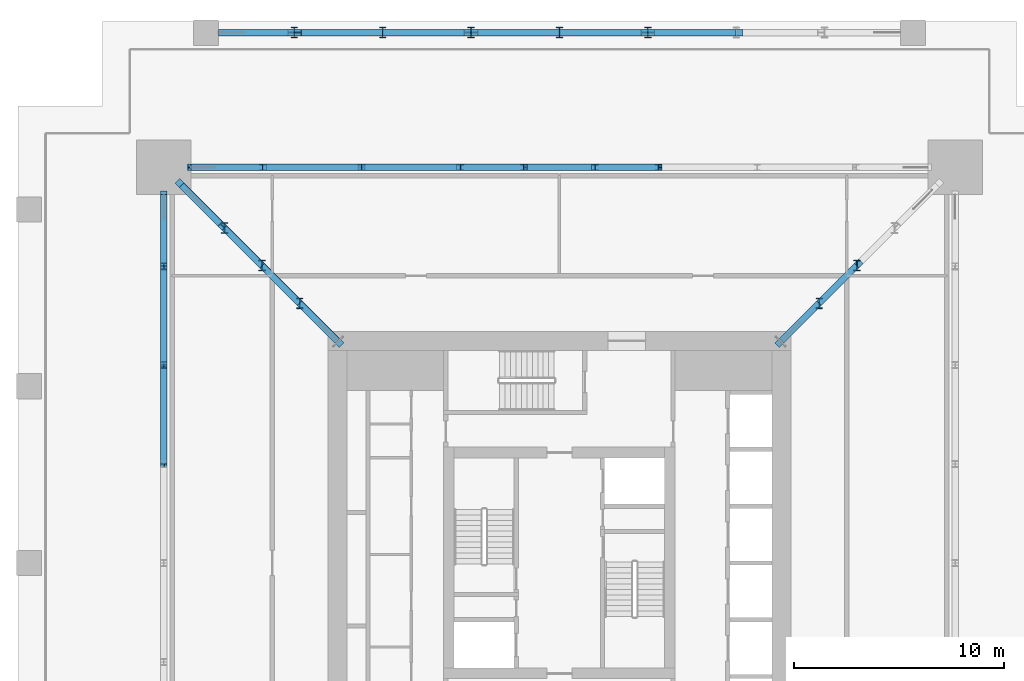
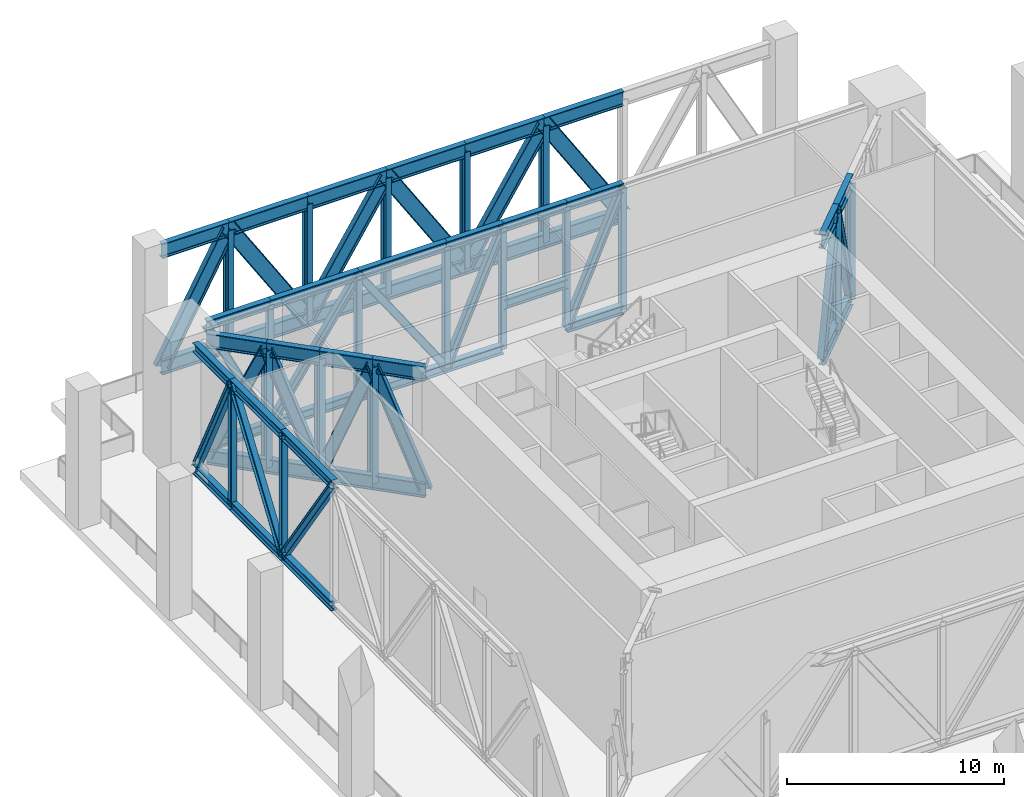
# One storey, part 4 of 17: 80 members.
"""IFC4 building model written with IfcOpenShell, lengths in metres."""

from ifc_helpers import new_model, si_unit, direction, frame, origin, origin_2d, place, context, subcontext, project, spatial, i_section, extrude, material, material_profile, profile_set, type_object, element, save


model = new_model("IFC4")

# Units and contexts
model_context = context("Model", 3, precision=1e-05, world=origin(), true_north=direction((0.0, 1.0)))
body_context = subcontext(model_context, "Body", "Model", "MODEL_VIEW")
ifc_project = project(units=[si_unit("LENGTHUNIT", "METRE"), si_unit("AREAUNIT", "SQUARE_METRE"), si_unit("VOLUMEUNIT", "CUBIC_METRE"), si_unit("PLANEANGLEUNIT", "RADIAN"), si_unit("MASSUNIT", "GRAM", prefix="KILO")], contexts=[model_context])

# Site, building, storey
site_placement = place(None, origin())
site = spatial("IfcSite", under=ifc_project, at=site_placement, CompositionType="ELEMENT")
building_placement = place(site_placement, origin())
building = spatial("IfcBuilding", under=site, at=building_placement, Name="Khepri Terraces", CompositionType="ELEMENT")
storey_placement = place(building_placement, frame((0.0, 0.0, 180.60009765625)))
storey = spatial("IfcBuildingStorey", under=building, at=storey_placement, Name="L43", CompositionType="ELEMENT", Elevation=180.60009765625)

# Members
ifc_material = material(Name="Steel S355", Category="steel")
ifc_material_profile_1 = material_profile(ifc_material, i_section(OverallWidth=0.305908203125, OverallDepth=0.52392578125, WebThickness=0.02099609375, FlangeThickness=0.0400390625, FilletRadius=0.027099609375, at=origin_2d()), Name="Steel S355", Category="steel")
ifc_profile_set_1 = profile_set([ifc_material_profile_1], Name="Steel S355")
member_type_1 = type_object("IfcMemberType", Name="Belt truss chord HEM 500", PredefinedType="CHORD", material=ifc_profile_set_1)
for number, where, z_axis, x_axis, name in (
    (1, (4.699951171875, 18.800048828125, 0.261962890625), (-1.0, 0.0, 0.0), (0.0, -1.0, 0.0), "Belt truss chord BT-43-N bottom 4"),
    (2, (4.699951171875, 18.800048828125, 7.117919921875), (-1.0, 0.0, 0.0), (0.0, -1.0, 0.0), "Belt truss chord BT-43-N top 4"),
):
    element("IfcMember", number, at=place(storey_placement, frame(where, z_axis=z_axis, x_axis=x_axis)), inside=storey, type_object=member_type_1, Name=name, PredefinedType="CHORD", context=body_context, shape_type="SweptSolid", body=[
        extrude(i_section(OverallWidth=0.305908203125, OverallDepth=0.52392578125, WebThickness=0.02099609375, FlangeThickness=0.0400390625, FilletRadius=0.027099609375, at=origin_2d()), origin(), (0.0, 0.0, 1.0), 3.0),
    ])
for number, where, z_axis, x_axis, name in (
    (3, (1.699951171875, 18.800048828125, 2.761962890625), (-1.0, 0.0, 0.0), (0.0, -1.0, 0.0), "Belt truss chord BT-43-N bottom 5"),
    (4, (1.699951171875, 18.800048828125, 7.117919921875), (-1.0, 0.0, 0.0), (0.0, -1.0, 0.0), "Belt truss chord BT-43-N top 5"),
):
    element("IfcMember", number, at=place(storey_placement, frame(where, z_axis=z_axis, x_axis=x_axis)), inside=storey, type_object=member_type_1, Name=name, PredefinedType="CHORD", context=body_context, shape_type="SweptSolid", body=[
        extrude(i_section(OverallWidth=0.305908203125, OverallDepth=0.52392578125, WebThickness=0.02099609375, FlangeThickness=0.0400390625, FilletRadius=0.027099609375, at=origin_2d()), origin(), (0.0, 0.0, 1.0), 3.39990234375),
    ])
for number, where, z_axis, x_axis, name in (
    (5, (-1.699951171875, 18.800048828125, 0.261962890625), (-1.0, 0.0, 0.0), (0.0, -1.0, 0.0), "Belt truss chord BT-43-N bottom 6"),
    (6, (-1.699951171875, 18.800048828125, 7.117919921875), (-1.0, 0.0, 0.0), (0.0, -1.0, 0.0), "Belt truss chord BT-43-N top 6"),
):
    element("IfcMember", number, at=place(storey_placement, frame(where, z_axis=z_axis, x_axis=x_axis)), inside=storey, type_object=member_type_1, Name=name, PredefinedType="CHORD", context=body_context, shape_type="SweptSolid", body=[
        extrude(i_section(OverallWidth=0.305908203125, OverallDepth=0.52392578125, WebThickness=0.02099609375, FlangeThickness=0.0400390625, FilletRadius=0.027099609375, at=origin_2d()), origin(), (0.0, 0.0, 1.0), 3.0),
    ])
for number, where, z_axis, x_axis, name in (
    (7, (-4.699951171875, 18.800048828125, 0.261962890625), (-1.0, 0.0, 0.0), (0.0, -1.0, 0.0), "Belt truss chord BT-43-N bottom 7"),
    (8, (-4.699951171875, 18.800048828125, 7.117919921875), (-1.0, 0.0, 0.0), (0.0, -1.0, 0.0), "Belt truss chord BT-43-N top 7"),
):
    element("IfcMember", number, at=place(storey_placement, frame(where, z_axis=z_axis, x_axis=x_axis)), inside=storey, type_object=member_type_1, Name=name, PredefinedType="CHORD", context=body_context, shape_type="SweptSolid", body=[
        extrude(i_section(OverallWidth=0.305908203125, OverallDepth=0.52392578125, WebThickness=0.02099609375, FlangeThickness=0.0400390625, FilletRadius=0.027099609375, at=origin_2d()), origin(), (0.0, 0.0, 1.0), 4.699951171875),
    ])
for number, where, z_axis, x_axis, name in (
    (9, (-9.39990234375, 18.800048828125, 0.261962890625), (-1.0, 0.0, 0.0), (0.0, -1.0, 0.0), "Belt truss chord BT-43-N bottom 8"),
    (10, (-9.39990234375, 18.800048828125, 7.117919921875), (-1.0, 0.0, 0.0), (0.0, -1.0, 0.0), "Belt truss chord BT-43-N top 8"),
):
    element("IfcMember", number, at=place(storey_placement, frame(where, z_axis=z_axis, x_axis=x_axis)), inside=storey, type_object=member_type_1, Name=name, PredefinedType="CHORD", context=body_context, shape_type="SweptSolid", body=[
        extrude(i_section(OverallWidth=0.305908203125, OverallDepth=0.52392578125, WebThickness=0.02099609375, FlangeThickness=0.0400390625, FilletRadius=0.027099609375, at=origin_2d()), origin(), (0.0, 0.0, 1.0), 4.7001953125),
    ])
for number, where, z_axis, x_axis, name in (
    (11, (-14.10009765625, 18.800048828125, 0.261962890625), (-1.0, 0.0, 0.0), (0.0, -1.0, 0.0), "Belt truss chord BT-43-N bottom 9"),
    (12, (-14.10009765625, 18.800048828125, 7.117919921875), (-1.0, 0.0, 0.0), (0.0, -1.0, 0.0), "Belt truss chord BT-43-N top 9"),
    (13, (-18.800048828125, 17.5, 0.261962890625), (0.0, -1.0, 0.0), (1.0, 0.0, 0.0), "Belt truss chord BT-43-W bottom 1"),
    (14, (-18.800048828125, 17.5, 7.117919921875), (0.0, -1.0, 0.0), (1.0, 0.0, 0.0), "Belt truss chord BT-43-W top 1"),
):
    element("IfcMember", number, at=place(storey_placement, frame(where, z_axis=z_axis, x_axis=x_axis)), inside=storey, type_object=member_type_1, Name=name, PredefinedType="CHORD", context=body_context, shape_type="SweptSolid", body=[
        extrude(i_section(OverallWidth=0.305908203125, OverallDepth=0.52392578125, WebThickness=0.02099609375, FlangeThickness=0.0400390625, FilletRadius=0.027099609375, at=origin_2d()), origin(), (0.0, 0.0, 1.0), 3.39990234375),
    ])
for number, where, z_axis, x_axis, name in (
    (15, (-18.800048828125, 14.10009765625, 0.261962890625), (0.0, -1.0, 0.0), (1.0, 0.0, 0.0), "Belt truss chord BT-43-W bottom 2"),
    (16, (-18.800048828125, 14.10009765625, 7.117919921875), (0.0, -1.0, 0.0), (1.0, 0.0, 0.0), "Belt truss chord BT-43-W top 2"),
):
    element("IfcMember", number, at=place(storey_placement, frame(where, z_axis=z_axis, x_axis=x_axis)), inside=storey, type_object=member_type_1, Name=name, PredefinedType="CHORD", context=body_context, shape_type="SweptSolid", body=[
        extrude(i_section(OverallWidth=0.305908203125, OverallDepth=0.52392578125, WebThickness=0.02099609375, FlangeThickness=0.0400390625, FilletRadius=0.027099609375, at=origin_2d()), origin(), (0.0, 0.0, 1.0), 4.7001953125),
    ])
for number, where, z_axis, x_axis, name in (
    (17, (-18.800048828125, 9.39990234375, 0.261962890625), (0.0, -1.0, 0.0), (1.0, 0.0, 0.0), "Belt truss chord BT-43-W bottom 3"),
    (18, (-18.800048828125, 9.39990234375, 7.117919921875), (0.0, -1.0, 0.0), (1.0, 0.0, 0.0), "Belt truss chord BT-43-W top 3"),
):
    element("IfcMember", number, at=place(storey_placement, frame(where, z_axis=z_axis, x_axis=x_axis)), inside=storey, type_object=member_type_1, Name=name, PredefinedType="CHORD", context=body_context, shape_type="SweptSolid", body=[
        extrude(i_section(OverallWidth=0.305908203125, OverallDepth=0.52392578125, WebThickness=0.02099609375, FlangeThickness=0.0400390625, FilletRadius=0.027099609375, at=origin_2d()), origin(), (0.0, 0.0, 1.0), 4.699951171875),
    ])
ifc_material_profile_2 = material_profile(ifc_material, i_section(OverallWidth=0.300048828125, OverallDepth=0.39990234375, WebThickness=0.013427734375, FlangeThickness=0.02392578125, FilletRadius=0.027099609375, at=origin_2d()), Name="Steel S355", Category="steel")
ifc_profile_set_2 = profile_set([ifc_material_profile_2], Name="Steel S355")
member_type_2 = type_object("IfcMemberType", Name="Belt truss diagonal HEB 400", PredefinedType="BRACE", material=ifc_profile_set_2)
for number, where, z_axis, x_axis, name in (
    (19, (4.699951171875, 18.800048828125, 7.117919921875), (-0.40087702062, 0.0, -0.916131876063), (0.0, -1.0, 0.0), "Belt truss diagonal BT-43-N 4"),
    (20, (-1.699951171875, 18.800048828125, 7.117919921875), (-0.40087702062, 0.0, -0.916131876063), (0.0, -1.0, 0.0), "Belt truss diagonal BT-43-N 6"),
):
    element("IfcMember", number, at=place(storey_placement, frame(where, z_axis=z_axis, x_axis=x_axis)), inside=storey, type_object=member_type_2, Name=name, PredefinedType="BRACE", context=body_context, shape_type="SweptSolid", body=[
        extrude(i_section(OverallWidth=0.300048828125, OverallDepth=0.39990234375, WebThickness=0.013427734375, FlangeThickness=0.02392578125, FilletRadius=0.027099609375, at=origin_2d()), origin(), (0.0, 0.0, 1.0), 7.483642578125),
    ])
member_1_placement = place(storey_placement, frame((-4.699951171875, 18.800048828125, 0.261962890625), z_axis=(-0.565423896724, 0.0, 0.824800471031), x_axis=(0.0, -1.0, 0.0)))
element("IfcMember", 21, at=member_1_placement, inside=storey, type_object=member_type_2, Name="Belt truss diagonal BT-43-N 7", PredefinedType="BRACE", context=body_context, shape_type="SweptSolid", body=[
    extrude(i_section(OverallWidth=0.300048828125, OverallDepth=0.39990234375, WebThickness=0.013427734375, FlangeThickness=0.02392578125, FilletRadius=0.027099609375, at=origin_2d()), origin(), (0.0, 0.0, 1.0), 8.312255859375),
])
member_2_placement = place(storey_placement, frame((-9.39990234375, 18.800048828125, 7.117919921875), z_axis=(-0.565443877293, 0.0, -0.824786773434), x_axis=(0.0, -1.0, 0.0)))
element("IfcMember", 22, at=member_2_placement, inside=storey, type_object=member_type_2, Name="Belt truss diagonal BT-43-N 8", PredefinedType="BRACE", context=body_context, shape_type="SweptSolid", body=[
    extrude(i_section(OverallWidth=0.300048828125, OverallDepth=0.39990234375, WebThickness=0.013427734375, FlangeThickness=0.02392578125, FilletRadius=0.027099609375, at=origin_2d()), origin(), (0.0, 0.0, 1.0), 8.3125),
])
for number, where, z_axis, x_axis, name in (
    (23, (-14.10009765625, 18.800048828125, 0.261962890625), (-0.444276144924, 0.0, 0.895889896723), (0.0, -1.0, 0.0), "Belt truss diagonal BT-43-N 9"),
    (24, (-18.800048828125, 17.5, 0.261962890625), (0.0, -0.444276144924, 0.895889896723), (1.0, 0.0, 0.0), "Belt truss diagonal BT-43-W 1"),
):
    element("IfcMember", number, at=place(storey_placement, frame(where, z_axis=z_axis, x_axis=x_axis)), inside=storey, type_object=member_type_2, Name=name, PredefinedType="BRACE", context=body_context, shape_type="SweptSolid", body=[
        extrude(i_section(OverallWidth=0.300048828125, OverallDepth=0.39990234375, WebThickness=0.013427734375, FlangeThickness=0.02392578125, FilletRadius=0.027099609375, at=origin_2d()), origin(), (0.0, 0.0, 1.0), 7.652587890625),
    ])
member_3_placement = place(storey_placement, frame((-18.800048828125, 14.10009765625, 7.117919921875), z_axis=(0.0, -0.565443877293, -0.824786773434), x_axis=(1.0, 0.0, 0.0)))
element("IfcMember", 25, at=member_3_placement, inside=storey, type_object=member_type_2, Name="Belt truss diagonal BT-43-W 2", PredefinedType="BRACE", context=body_context, shape_type="SweptSolid", body=[
    extrude(i_section(OverallWidth=0.300048828125, OverallDepth=0.39990234375, WebThickness=0.013427734375, FlangeThickness=0.02392578125, FilletRadius=0.027099609375, at=origin_2d()), origin(), (0.0, 0.0, 1.0), 8.3125),
])
member_4_placement = place(storey_placement, frame((-18.800048828125, 9.39990234375, 0.261962890625), z_axis=(0.0, -0.565423896724, 0.824800471031), x_axis=(1.0, 0.0, 0.0)))
element("IfcMember", 26, at=member_4_placement, inside=storey, type_object=member_type_2, Name="Belt truss diagonal BT-43-W 3", PredefinedType="BRACE", context=body_context, shape_type="SweptSolid", body=[
    extrude(i_section(OverallWidth=0.300048828125, OverallDepth=0.39990234375, WebThickness=0.013427734375, FlangeThickness=0.02392578125, FilletRadius=0.027099609375, at=origin_2d()), origin(), (0.0, 0.0, 1.0), 8.312255859375),
])
ifc_material_profile_3 = material_profile(ifc_material, i_section(OverallWidth=0.300048828125, OverallDepth=0.300048828125, WebThickness=0.010986328125, FlangeThickness=0.01904296875, FilletRadius=0.027099609375, at=origin_2d()), Name="Steel S355", Category="steel")
ifc_profile_set_3 = profile_set([ifc_material_profile_3], Name="Steel S355")
member_type_3 = type_object("IfcMemberType", Name="Belt truss post HEB 300", PredefinedType="POST", material=ifc_profile_set_3)
for number, where, z_axis, x_axis, name in (
    (27, (4.699951171875, 18.800048828125, 0.261962890625), (0.0, 0.0, 1.0), (1.0, 0.0, 0.0), "Belt truss post BT-43-N 3"),
    (28, (1.699951171875, 18.800048828125, 0.261962890625), (0.0, 0.0, 1.0), (1.0, 0.0, 0.0), "Belt truss post BT-43-N 4"),
    (29, (-1.699951171875, 18.800048828125, 0.261962890625), (0.0, 0.0, 1.0), (1.0, 0.0, 0.0), "Belt truss post BT-43-N 5"),
    (30, (-4.699951171875, 18.800048828125, 0.261962890625), (0.0, 0.0, 1.0), (1.0, 0.0, 0.0), "Belt truss post BT-43-N 6"),
    (31, (-9.39990234375, 18.800048828125, 0.261962890625), (0.0, 0.0, 1.0), (1.0, 0.0, 0.0), "Belt truss post BT-43-N 7"),
    (32, (-14.10009765625, 18.800048828125, 0.261962890625), (0.0, 0.0, 1.0), (1.0, 0.0, 0.0), "Belt truss post BT-43-N 8"),
    (33, (-18.800048828125, 14.10009765625, 0.261962890625), (0.0, 0.0, 1.0), (1.0, 0.0, 0.0), "Belt truss post BT-43-W 1"),
    (34, (-18.800048828125, 9.39990234375, 0.261962890625), (0.0, 0.0, 1.0), (1.0, 0.0, 0.0), "Belt truss post BT-43-W 2"),
):
    element("IfcMember", number, at=place(storey_placement, frame(where, z_axis=z_axis, x_axis=x_axis)), inside=storey, type_object=member_type_3, Name=name, PredefinedType="POST", context=body_context, shape_type="SweptSolid", body=[
        extrude(i_section(OverallWidth=0.300048828125, OverallDepth=0.300048828125, WebThickness=0.010986328125, FlangeThickness=0.01904296875, FilletRadius=0.027099609375, at=origin_2d()), origin(), (0.0, 0.0, 1.0), 6.85595703125),
    ])
ifc_material_profile_4 = material_profile(ifc_material, i_section(OverallWidth=0.302978515625, OverallDepth=0.81396484375, WebThickness=0.02099609375, FlangeThickness=0.0400390625, FilletRadius=0.030029296875, at=origin_2d()), Name="Steel S355", Category="steel")
ifc_profile_set_4 = profile_set([ifc_material_profile_4], Name="Steel S355")
member_type_4 = type_object("IfcMemberType", Name="Outrigger chord HEM 800", PredefinedType="CHORD", material=ifc_profile_set_4)
for number, where, z_axis, x_axis, name in (
    (35, (10.550048828125, 10.550048828125, 0.406982421875), (0.707106781187, 0.707106781187, 0.0), (-0.707106781187, 0.707106781187, 0.0), "Outrigger chord OT-43-EN bottom 1"),
    (36, (10.550048828125, 10.550048828125, 6.972900390625), (0.707106781187, 0.707106781187, 0.0), (-0.707106781187, 0.707106781187, 0.0), "Outrigger chord OT-43-EN top 1"),
    (37, (12.340576171875, 12.340576171875, 0.406982421875), (0.707106781187, 0.707106781187, 0.0), (-0.707106781187, 0.707106781187, 0.0), "Outrigger chord OT-43-EN bottom 2"),
    (38, (12.340576171875, 12.340576171875, 6.972900390625), (0.707106781187, 0.707106781187, 0.0), (-0.707106781187, 0.707106781187, 0.0), "Outrigger chord OT-43-EN top 2"),
    (39, (-10.550048828125, 10.550048828125, 0.406982421875), (-0.707106781187, 0.707106781187, 0.0), (-0.707106781187, -0.707106781187, 0.0), "Outrigger chord OT-43-WN bottom 1"),
    (40, (-10.550048828125, 10.550048828125, 6.972900390625), (-0.707106781187, 0.707106781187, 0.0), (-0.707106781187, -0.707106781187, 0.0), "Outrigger chord OT-43-WN top 1"),
    (41, (-12.340576171875, 12.340576171875, 0.406982421875), (-0.707106781187, 0.707106781187, 0.0), (-0.707106781187, -0.707106781187, 0.0), "Outrigger chord OT-43-WN bottom 2"),
    (42, (-12.340576171875, 12.340576171875, 6.972900390625), (-0.707106781187, 0.707106781187, 0.0), (-0.707106781187, -0.707106781187, 0.0), "Outrigger chord OT-43-WN top 2"),
    (43, (-14.131103515625, 14.131103515625, 0.406982421875), (-0.707106781187, 0.707106781187, 0.0), (-0.707106781187, -0.707106781187, 0.0), "Outrigger chord OT-43-WN bottom 3"),
    (44, (-14.131103515625, 14.131103515625, 6.972900390625), (-0.707106781187, 0.707106781187, 0.0), (-0.707106781187, -0.707106781187, 0.0), "Outrigger chord OT-43-WN top 3"),
):
    element("IfcMember", number, at=place(storey_placement, frame(where, z_axis=z_axis, x_axis=x_axis)), inside=storey, type_object=member_type_4, Name=name, PredefinedType="CHORD", context=body_context, shape_type="SweptSolid", body=[
        extrude(i_section(OverallWidth=0.302978515625, OverallDepth=0.81396484375, WebThickness=0.02099609375, FlangeThickness=0.0400390625, FilletRadius=0.030029296875, at=origin_2d()), origin(), (0.0, 0.0, 1.0), 2.5322265625),
    ])
for number, where, z_axis, x_axis, name in (
    (45, (-15.921630859375, 15.921630859375, 0.406982421875), (-0.707106781187, 0.707106781187, 0.0), (-0.707106781187, -0.707106781187, 0.0), "Outrigger chord OT-43-WN bottom 4"),
    (46, (-15.921630859375, 15.921630859375, 6.972900390625), (-0.707106781187, 0.707106781187, 0.0), (-0.707106781187, -0.707106781187, 0.0), "Outrigger chord OT-43-WN top 4"),
):
    element("IfcMember", number, at=place(storey_placement, frame(where, z_axis=z_axis, x_axis=x_axis)), inside=storey, type_object=member_type_4, Name=name, PredefinedType="CHORD", context=body_context, shape_type="SweptSolid", body=[
        extrude(i_section(OverallWidth=0.302978515625, OverallDepth=0.81396484375, WebThickness=0.02099609375, FlangeThickness=0.0400390625, FilletRadius=0.030029296875, at=origin_2d()), origin(), (0.0, 0.0, 1.0), 2.87060546875),
    ])
ifc_material_profile_5 = material_profile(ifc_material, i_section(OverallWidth=0.304931640625, OverallDepth=0.6201171875, WebThickness=0.02099609375, FlangeThickness=0.0400390625, FilletRadius=0.027099609375, at=origin_2d()), Name="Steel S355", Category="steel")
ifc_profile_set_5 = profile_set([ifc_material_profile_5], Name="Steel S355")
member_type_5 = type_object("IfcMemberType", Name="Outrigger diagonal HEM 600", PredefinedType="BRACE", material=ifc_profile_set_5)
for number, where, z_axis, x_axis, name in (
    (47, (10.550048828125, 10.550048828125, 0.406982421875), (0.254434715173, 0.254434715173, 0.933019802271), (-0.707106781187, 0.707106781187, 0.0), "Outrigger diagonal OT-43-EN 1"),
    (48, (12.340576171875, 12.340576171875, 6.972900390625), (0.254434715173, 0.254434715173, -0.933019802271), (-0.707106781187, 0.707106781187, 0.0), "Outrigger diagonal OT-43-EN 2"),
    (49, (-10.550048828125, 10.550048828125, 0.406982421875), (-0.254434715173, 0.254434715173, 0.933019802271), (-0.707106781187, -0.707106781187, 0.0), "Outrigger diagonal OT-43-WN 1"),
    (50, (-12.340576171875, 12.340576171875, 6.972900390625), (-0.254434715173, 0.254434715173, -0.933019802271), (-0.707106781187, -0.707106781187, 0.0), "Outrigger diagonal OT-43-WN 2"),
    (51, (-14.131103515625, 14.131103515625, 0.406982421875), (-0.254434715173, 0.254434715173, 0.933019802271), (-0.707106781187, -0.707106781187, 0.0), "Outrigger diagonal OT-43-WN 3"),
):
    element("IfcMember", number, at=place(storey_placement, frame(where, z_axis=z_axis, x_axis=x_axis)), inside=storey, type_object=member_type_5, Name=name, PredefinedType="BRACE", context=body_context, shape_type="SweptSolid", body=[
        extrude(i_section(OverallWidth=0.304931640625, OverallDepth=0.6201171875, WebThickness=0.02099609375, FlangeThickness=0.0400390625, FilletRadius=0.027099609375, at=origin_2d()), origin(), (0.0, 0.0, 1.0), 7.037353515625),
    ])
member_5_placement = place(storey_placement, frame((-15.921630859375, 15.921630859375, 6.972900390625), z_axis=(-0.283252796148, 0.283252796148, -0.916261811355), x_axis=(-0.707106781187, -0.707106781187, 0.0)))
element("IfcMember", 52, at=member_5_placement, inside=storey, type_object=member_type_5, Name="Outrigger diagonal OT-43-WN 4", PredefinedType="BRACE", context=body_context, shape_type="SweptSolid", body=[
    extrude(i_section(OverallWidth=0.304931640625, OverallDepth=0.6201171875, WebThickness=0.02099609375, FlangeThickness=0.0400390625, FilletRadius=0.027099609375, at=origin_2d()), origin(), (0.0, 0.0, 1.0), 7.166015625),
])
ifc_material_profile_6 = material_profile(ifc_material, i_section(OverallWidth=0.300048828125, OverallDepth=0.5, WebThickness=0.014404296875, FlangeThickness=0.028076171875, FilletRadius=0.027099609375, at=origin_2d()), Name="Steel S355", Category="steel")
ifc_profile_set_6 = profile_set([ifc_material_profile_6], Name="Steel S355")
member_type_6 = type_object("IfcMemberType", Name="Outrigger post HEB 500", PredefinedType="POST", material=ifc_profile_set_6)
for number, where, z_axis, x_axis, name in (
    (53, (12.340576171875, 12.340576171875, 0.406982421875), (0.0, 0.0, 1.0), (1.0, 0.0, 0.0), "Outrigger post OT-43-EN 1"),
    (54, (14.131103515625, 14.131103515625, 0.406982421875), (0.0, 0.0, 1.0), (1.0, 0.0, 0.0), "Outrigger post OT-43-EN 2"),
    (55, (-12.340576171875, 12.340576171875, 0.406982421875), (0.0, 0.0, 1.0), (1.0, 0.0, 0.0), "Outrigger post OT-43-WN 1"),
    (56, (-14.131103515625, 14.131103515625, 0.406982421875), (0.0, 0.0, 1.0), (1.0, 0.0, 0.0), "Outrigger post OT-43-WN 2"),
    (57, (-15.921630859375, 15.921630859375, 0.406982421875), (0.0, 0.0, 1.0), (1.0, 0.0, 0.0), "Outrigger post OT-43-WN 3"),
):
    element("IfcMember", number, at=place(storey_placement, frame(where, z_axis=z_axis, x_axis=x_axis)), inside=storey, type_object=member_type_6, Name=name, PredefinedType="POST", context=body_context, shape_type="SweptSolid", body=[
        extrude(i_section(OverallWidth=0.300048828125, OverallDepth=0.5, WebThickness=0.014404296875, FlangeThickness=0.028076171875, FilletRadius=0.027099609375, at=origin_2d()), origin(), (0.0, 0.0, 1.0), 6.56591796875),
    ])
ifc_material_profile_7 = material_profile(ifc_material, i_section(OverallWidth=0.302978515625, OverallDepth=0.81396484375, WebThickness=0.02099609375, FlangeThickness=0.0400390625, FilletRadius=0.030029296875, at=origin_2d()), Name="Steel S355", Category="steel")
ifc_profile_set_7 = profile_set([ifc_material_profile_7], Name="Steel S355")
member_type_7 = type_object("IfcMemberType", Name="Transfer truss chord HEM 800", PredefinedType="CHORD", material=ifc_profile_set_7)
for number, where, z_axis, x_axis, name in (
    (58, (8.39990234375, 25.199951171875, 0.406982421875), (-1.0, 0.0, 0.0), (0.0, -1.0, 0.0), "Transfer truss chord TT-43-N bottom 3"),
    (59, (8.39990234375, 25.199951171875, 6.972900390625), (-1.0, 0.0, 0.0), (0.0, -1.0, 0.0), "Transfer truss chord TT-43-N top 3"),
    (60, (4.199951171875, 25.199951171875, 0.406982421875), (-1.0, 0.0, 0.0), (0.0, -1.0, 0.0), "Transfer truss chord TT-43-N bottom 4"),
    (61, (4.199951171875, 25.199951171875, 6.972900390625), (-1.0, 0.0, 0.0), (0.0, -1.0, 0.0), "Transfer truss chord TT-43-N top 4"),
    (62, (0.0, 25.199951171875, 0.406982421875), (-1.0, 0.0, 0.0), (0.0, -1.0, 0.0), "Transfer truss chord TT-43-N bottom 5"),
    (63, (0.0, 25.199951171875, 6.972900390625), (-1.0, 0.0, 0.0), (0.0, -1.0, 0.0), "Transfer truss chord TT-43-N top 5"),
    (64, (-4.199951171875, 25.199951171875, 0.406982421875), (-1.0, 0.0, 0.0), (0.0, -1.0, 0.0), "Transfer truss chord TT-43-N bottom 6"),
    (65, (-4.199951171875, 25.199951171875, 6.972900390625), (-1.0, 0.0, 0.0), (0.0, -1.0, 0.0), "Transfer truss chord TT-43-N top 6"),
):
    element("IfcMember", number, at=place(storey_placement, frame(where, z_axis=z_axis, x_axis=x_axis)), inside=storey, type_object=member_type_7, Name=name, PredefinedType="CHORD", context=body_context, shape_type="SweptSolid", body=[
        extrude(i_section(OverallWidth=0.302978515625, OverallDepth=0.81396484375, WebThickness=0.02099609375, FlangeThickness=0.0400390625, FilletRadius=0.030029296875, at=origin_2d()), origin(), (0.0, 0.0, 1.0), 4.199951171875),
    ])
for number, where, z_axis, x_axis, name in (
    (66, (-8.39990234375, 25.199951171875, 0.406982421875), (-1.0, 0.0, 0.0), (0.0, -1.0, 0.0), "Transfer truss chord TT-43-N bottom 7"),
    (67, (-8.39990234375, 25.199951171875, 6.972900390625), (-1.0, 0.0, 0.0), (0.0, -1.0, 0.0), "Transfer truss chord TT-43-N top 7"),
):
    element("IfcMember", number, at=place(storey_placement, frame(where, z_axis=z_axis, x_axis=x_axis)), inside=storey, type_object=member_type_7, Name=name, PredefinedType="CHORD", context=body_context, shape_type="SweptSolid", body=[
        extrude(i_section(OverallWidth=0.302978515625, OverallDepth=0.81396484375, WebThickness=0.02099609375, FlangeThickness=0.0400390625, FilletRadius=0.030029296875, at=origin_2d()), origin(), (0.0, 0.0, 1.0), 4.2001953125),
    ])
for number, where, z_axis, x_axis, name in (
    (68, (-12.60009765625, 25.199951171875, 0.406982421875), (-1.0, 0.0, 0.0), (0.0, -1.0, 0.0), "Transfer truss chord TT-43-N bottom 8"),
    (69, (-12.60009765625, 25.199951171875, 6.972900390625), (-1.0, 0.0, 0.0), (0.0, -1.0, 0.0), "Transfer truss chord TT-43-N top 8"),
):
    element("IfcMember", number, at=place(storey_placement, frame(where, z_axis=z_axis, x_axis=x_axis)), inside=storey, type_object=member_type_7, Name=name, PredefinedType="CHORD", context=body_context, shape_type="SweptSolid", body=[
        extrude(i_section(OverallWidth=0.302978515625, OverallDepth=0.81396484375, WebThickness=0.02099609375, FlangeThickness=0.0400390625, FilletRadius=0.030029296875, at=origin_2d()), origin(), (0.0, 0.0, 1.0), 3.599853515625),
    ])
ifc_material_profile_8 = material_profile(ifc_material, i_section(OverallWidth=0.300048828125, OverallDepth=0.7900390625, WebThickness=0.014892578125, FlangeThickness=0.028076171875, FilletRadius=0.030029296875, at=origin_2d()), Name="Steel S355", Category="steel")
ifc_profile_set_8 = profile_set([ifc_material_profile_8], Name="Steel S355")
member_type_8 = type_object("IfcMemberType", Name="Transfer truss diagonal HEA 800", PredefinedType="BRACE", material=ifc_profile_set_8)
for number, where, z_axis, x_axis, name in (
    (70, (8.39990234375, 25.199951171875, 0.406982421875), (-0.5388501343, 0.0, 0.842401645752), (0.0, -1.0, 0.0), "Transfer truss diagonal TT-43-N 3"),
    (71, (4.199951171875, 25.199951171875, 6.972900390625), (-0.5388501343, 0.0, -0.842401645752), (0.0, -1.0, 0.0), "Transfer truss diagonal TT-43-N 4"),
    (72, (0.0, 25.199951171875, 0.406982421875), (-0.5388501343, 0.0, 0.842401645752), (0.0, -1.0, 0.0), "Transfer truss diagonal TT-43-N 5"),
    (73, (-4.199951171875, 25.199951171875, 6.972900390625), (-0.5388501343, 0.0, -0.842401645752), (0.0, -1.0, 0.0), "Transfer truss diagonal TT-43-N 6"),
):
    element("IfcMember", number, at=place(storey_placement, frame(where, z_axis=z_axis, x_axis=x_axis)), inside=storey, type_object=member_type_8, Name=name, PredefinedType="BRACE", context=body_context, shape_type="SweptSolid", body=[
        extrude(i_section(OverallWidth=0.300048828125, OverallDepth=0.7900390625, WebThickness=0.014892578125, FlangeThickness=0.028076171875, FilletRadius=0.030029296875, at=origin_2d()), origin(), (0.0, 0.0, 1.0), 7.794189453125),
    ])
member_6_placement = place(storey_placement, frame((-8.39990234375, 25.199951171875, 0.406982421875), z_axis=(-0.538872361831, 0.0, 0.842387427289), x_axis=(0.0, -1.0, 0.0)))
element("IfcMember", 74, at=member_6_placement, inside=storey, type_object=member_type_8, Name="Transfer truss diagonal TT-43-N 7", PredefinedType="BRACE", context=body_context, shape_type="SweptSolid", body=[
    extrude(i_section(OverallWidth=0.300048828125, OverallDepth=0.7900390625, WebThickness=0.014892578125, FlangeThickness=0.028076171875, FilletRadius=0.030029296875, at=origin_2d()), origin(), (0.0, 0.0, 1.0), 7.79443359375),
])
member_7_placement = place(storey_placement, frame((-12.60009765625, 25.199951171875, 6.972900390625), z_axis=(-0.480749324801, 0.0, -0.876858076717), x_axis=(0.0, -1.0, 0.0)))
element("IfcMember", 75, at=member_7_placement, inside=storey, type_object=member_type_8, Name="Transfer truss diagonal TT-43-N 8", PredefinedType="BRACE", context=body_context, shape_type="SweptSolid", body=[
    extrude(i_section(OverallWidth=0.300048828125, OverallDepth=0.7900390625, WebThickness=0.014892578125, FlangeThickness=0.028076171875, FilletRadius=0.030029296875, at=origin_2d()), origin(), (0.0, 0.0, 1.0), 7.488037109375),
])
ifc_material_profile_9 = material_profile(ifc_material, i_section(OverallWidth=0.300048828125, OverallDepth=0.5, WebThickness=0.014404296875, FlangeThickness=0.028076171875, FilletRadius=0.027099609375, at=origin_2d()), Name="Steel S355", Category="steel")
ifc_profile_set_9 = profile_set([ifc_material_profile_9], Name="Steel S355")
member_type_9 = type_object("IfcMemberType", Name="Transfer truss post HEB 500", PredefinedType="POST", material=ifc_profile_set_9)
for number, where, z_axis, x_axis, name in (
    (76, (4.199951171875, 25.199951171875, 0.406982421875), (0.0, 0.0, 1.0), (1.0, 0.0, 0.0), "Transfer truss post TT-43-N 3"),
    (77, (0.0, 25.199951171875, 0.406982421875), (0.0, 0.0, 1.0), (1.0, 0.0, 0.0), "Transfer truss post TT-43-N 4"),
    (78, (-4.199951171875, 25.199951171875, 0.406982421875), (0.0, 0.0, 1.0), (1.0, 0.0, 0.0), "Transfer truss post TT-43-N 5"),
    (79, (-8.39990234375, 25.199951171875, 0.406982421875), (0.0, 0.0, 1.0), (1.0, 0.0, 0.0), "Transfer truss post TT-43-N 6"),
    (80, (-12.60009765625, 25.199951171875, 0.406982421875), (0.0, 0.0, 1.0), (1.0, 0.0, 0.0), "Transfer truss post TT-43-N 7"),
):
    element("IfcMember", number, at=place(storey_placement, frame(where, z_axis=z_axis, x_axis=x_axis)), inside=storey, type_object=member_type_9, Name=name, PredefinedType="POST", context=body_context, shape_type="SweptSolid", body=[
        extrude(i_section(OverallWidth=0.300048828125, OverallDepth=0.5, WebThickness=0.014404296875, FlangeThickness=0.028076171875, FilletRadius=0.027099609375, at=origin_2d()), origin(), (0.0, 0.0, 1.0), 6.56591796875),
    ])

save(model, "model.ifc")
